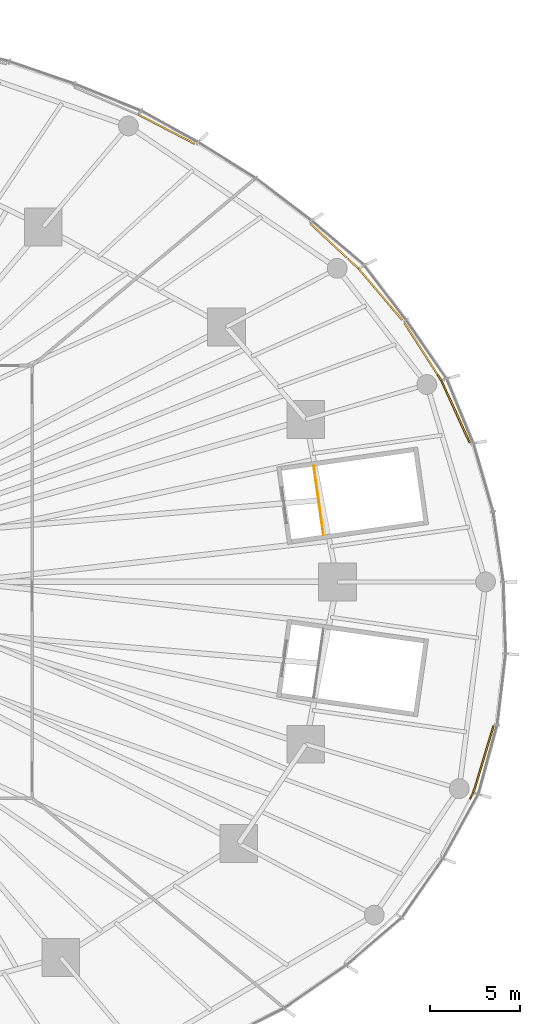
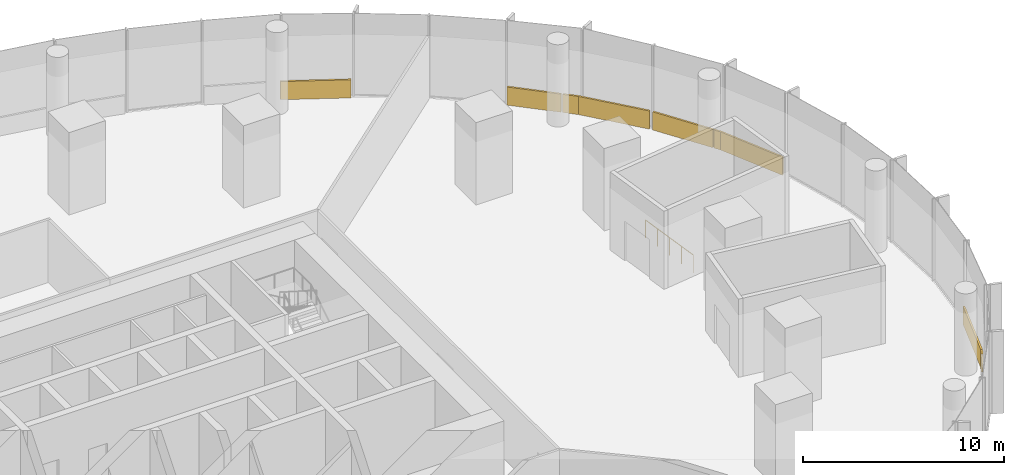
# One storey, part 27 of 27: 9 coverings, 1 railing.
"""IFC4 building model written with IfcOpenShell, lengths in metres."""

from ifc_helpers import new_model, si_unit, direction, frame, origin, origin_2d, place, context, subcontext, project, spatial, rectangle, circle, extrude, material, layer, layer_set, type_object, element, save


model = new_model("IFC4")

# Units and contexts
model_context = context("Model", 3, precision=1e-05, world=origin(), true_north=direction((0.0, 1.0)))
body_context = subcontext(model_context, "Body", "Model", "MODEL_VIEW")
ifc_project = project(units=[si_unit("LENGTHUNIT", "METRE"), si_unit("AREAUNIT", "SQUARE_METRE"), si_unit("VOLUMEUNIT", "CUBIC_METRE"), si_unit("PLANEANGLEUNIT", "RADIAN"), si_unit("MASSUNIT", "GRAM", prefix="KILO")], contexts=[model_context])

# Site, building, storey
site_placement = place(None, origin())
site = spatial("IfcSite", under=ifc_project, at=site_placement, CompositionType="ELEMENT")
building_placement = place(site_placement, origin())
building = spatial("IfcBuilding", under=site, at=building_placement, Name="Ghaith Harvest Tower", CompositionType="ELEMENT")
storey_placement = place(building_placement, frame((0.0, 0.0, 10.0)))
storey = spatial("IfcBuildingStorey", under=building, at=storey_placement, Name="L02", CompositionType="ELEMENT", Elevation=10.0)

# Railing
ifc_material_1 = material(Name="Steel, black powder-coated", Category="steel")
railing_type = type_object("IfcRailingType", Name="GUARD GR1", PredefinedType="GUARDRAIL", material=ifc_material_1)
railing_placement = place(storey_placement, frame((32.15185546875, 2.60888671875, 0.0)))
element("IfcRailing", 1, at=railing_placement, inside=storey, type_object=railing_type, Name="Guard GR1 at the top landing of stair PS1", PredefinedType="GUARDRAIL", context=body_context, shape_type="SweptSolid", body=[
    extrude(circle(Radius=0.02392578125, at=origin_2d()), frame((0.0, 0.0, 1.076171875), z_axis=(-0.140204998094, 0.990122496719, 0.0), x_axis=(-0.990122496719, -0.140204998094, 0.0)), (0.0, 0.0, 1.0), 3.85009765625),
    extrude(circle(Radius=0.02099609375, at=origin_2d()), origin(), (0.0, 0.0, 1.0), 1.052001953125),
    extrude(circle(Radius=0.02099609375, at=origin_2d()), frame((-0.135009765625, 0.953125, 0.0)), (0.0, 0.0, 1.0), 1.052001953125),
    extrude(circle(Radius=0.02099609375, at=origin_2d()), frame((-0.27001953125, 1.906005859375, 0.0)), (0.0, 0.0, 1.0), 1.052001953125),
    extrude(circle(Radius=0.02099609375, at=origin_2d()), frame((-0.40478515625, 2.85888671875, 0.0)), (0.0, 0.0, 1.0), 1.052001953125),
    extrude(circle(Radius=0.02099609375, at=origin_2d()), frame((-0.539794921875, 3.81201171875, 0.0)), (0.0, 0.0, 1.0), 1.052001953125),
])

# Coverings
ifc_material_2 = material(Name="Insulated aluminium spandrel panel on steel framing", Category="steel")
ifc_layer = layer(ifc_material_2, 0.10009765625)
ifc_layer_set = layer_set([ifc_layer], Name="SLAB EDGE UPSTAND 1100x100")
covering_type = type_object("IfcCoveringType", Name="SLAB EDGE UPSTAND 1100x100", PredefinedType="CLADDING", material=ifc_layer_set)
covering_1_placement = place(storey_placement, frame((39.476318359375, 9.45166015625, 0.0), z_axis=(0.0, 0.0, 1.0), x_axis=(-0.414686856566, 0.909964181158, 0.0)))
element("IfcCovering", 2, at=covering_1_placement, inside=storey, type_object=covering_type, Name="Slab edge upstand 3 bay 01 L02", PredefinedType="CLADDING", context=body_context, shape_type="SweptSolid", body=[
    extrude(rectangle(XDim=3.78759765625, YDim=0.10009765625, at=origin_2d()), origin(), (0.0, 0.0, 1.0), 1.10009765625),
])
covering_2_placement = place(storey_placement, frame((38.59033203125, 11.330810546875, 0.0), z_axis=(0.0, 0.0, 1.0), x_axis=(-0.540681780741, 0.841227205917, 0.0)))
element("IfcCovering", 3, at=covering_2_placement, inside=storey, type_object=covering_type, Name="Slab edge upstand 1 bay 02 L02", PredefinedType="CLADDING", context=body_context, shape_type="SweptSolid", body=[
    extrude(rectangle(XDim=0.385498046875, YDim=0.10009765625, at=origin_2d()), origin(), (0.0, 0.0, 1.0), 1.10009765625),
])
covering_3_placement = place(storey_placement, frame((37.548095703125, 12.952392578125, 0.0), z_axis=(0.0, 0.0, 1.0), x_axis=(-0.540681780741, 0.841227205917, 0.0)))
element("IfcCovering", 4, at=covering_3_placement, inside=storey, type_object=covering_type, Name="Slab edge upstand 1 bay 02 L02", PredefinedType="CLADDING", context=body_context, shape_type="SweptSolid", body=[
    extrude(rectangle(XDim=3.367431640625, YDim=0.10009765625, at=origin_2d()), origin(), (0.0, 0.0, 1.0), 1.10009765625),
])
covering_4_placement = place(storey_placement, frame((35.311767578125, 15.951416015625, 0.0), z_axis=(0.0, 0.0, 1.0), x_axis=(-0.64698267816, 0.762504697796, 0.0)))
element("IfcCovering", 5, at=covering_4_placement, inside=storey, type_object=covering_type, Name="Slab edge upstand 2 bay 02 L02", PredefinedType="CLADDING", context=body_context, shape_type="SweptSolid", body=[
    extrude(rectangle(XDim=3.744140625, YDim=0.10009765625, at=origin_2d()), origin(), (0.0, 0.0, 1.0), 1.10009765625),
])
covering_5_placement = place(storey_placement, frame((33.80419921875, 17.65478515625, 0.0), z_axis=(0.0, 0.0, 1.0), x_axis=(-0.731136860441, 0.682230819668, 0.0)))
element("IfcCovering", 6, at=covering_5_placement, inside=storey, type_object=covering_type, Name="Slab edge upstand 3 bay 02 L02", PredefinedType="CLADDING", context=body_context, shape_type="SweptSolid", body=[
    extrude(rectangle(XDim=0.821044921875, YDim=0.10009765625, at=origin_2d()), origin(), (0.0, 0.0, 1.0), 1.10009765625),
])
covering_6_placement = place(storey_placement, frame((32.435791015625, 18.931640625, 0.0), z_axis=(0.0, 0.0, 1.0), x_axis=(-0.731136860441, 0.682230819668, 0.0)))
element("IfcCovering", 7, at=covering_6_placement, inside=storey, type_object=covering_type, Name="Slab edge upstand 3 bay 02 L02", PredefinedType="CLADDING", context=body_context, shape_type="SweptSolid", body=[
    extrude(rectangle(XDim=2.755859375, YDim=0.10009765625, at=origin_2d()), origin(), (0.0, 0.0, 1.0), 1.10009765625),
])
covering_7_placement = place(storey_placement, frame((23.438720703125, 25.116455078125, 0.0), z_axis=(0.0, 0.0, 1.0), x_axis=(-0.887346362731, 0.4611034944, 0.0)))
element("IfcCovering", 8, at=covering_7_placement, inside=storey, type_object=covering_type, Name="Slab edge upstand 3 bay 03 L02", PredefinedType="CLADDING", context=body_context, shape_type="SweptSolid", body=[
    extrude(rectangle(XDim=3.51708984375, YDim=0.10009765625, at=origin_2d()), origin(), (0.0, 0.0, 1.0), 1.10009765625),
])
covering_8_placement = place(storey_placement, frame((40.377197265625, -11.8642578125, 0.0), z_axis=(0.0, 0.0, 1.0), x_axis=(0.458352603838, 0.888770437489, 0.0)))
element("IfcCovering", 9, at=covering_8_placement, inside=storey, type_object=covering_type, Name="Slab edge upstand 3 bay 19 L02", PredefinedType="CLADDING", context=body_context, shape_type="SweptSolid", body=[
    extrude(rectangle(XDim=0.400390625, YDim=0.10009765625, at=origin_2d()), origin(), (0.0, 0.0, 1.0), 1.10009765625),
])
covering_9_placement = place(storey_placement, frame((41.02490234375, -9.841796875, 0.0), z_axis=(0.0, 0.0, 1.0), x_axis=(0.289014856276, 0.957324612058, 0.0)))
element("IfcCovering", 10, at=covering_9_placement, inside=storey, type_object=covering_type, Name="Slab edge upstand 1 bay 20 L02", PredefinedType="CLADDING", context=body_context, shape_type="SweptSolid", body=[
    extrude(rectangle(XDim=3.871337890625, YDim=0.10009765625, at=origin_2d()), origin(), (0.0, 0.0, 1.0), 1.10009765625),
])

save(model, "model.ifc")
